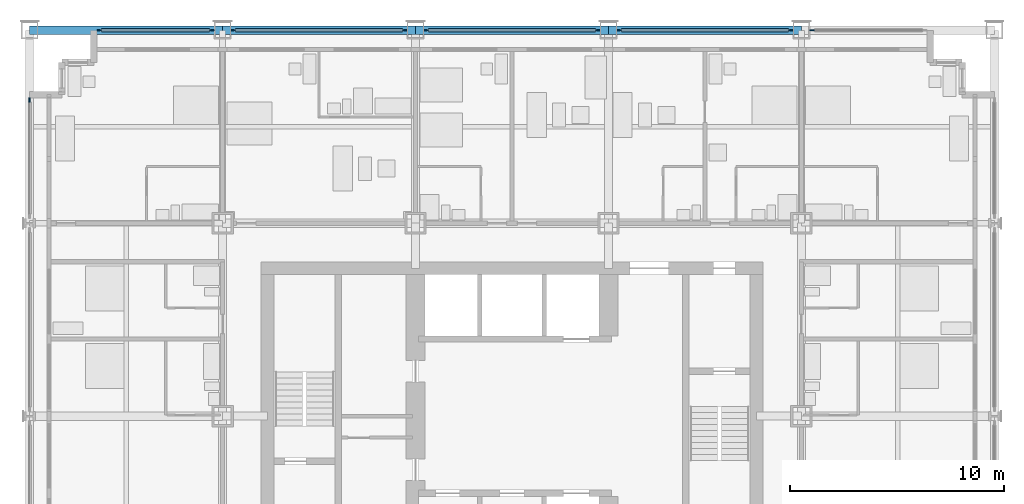
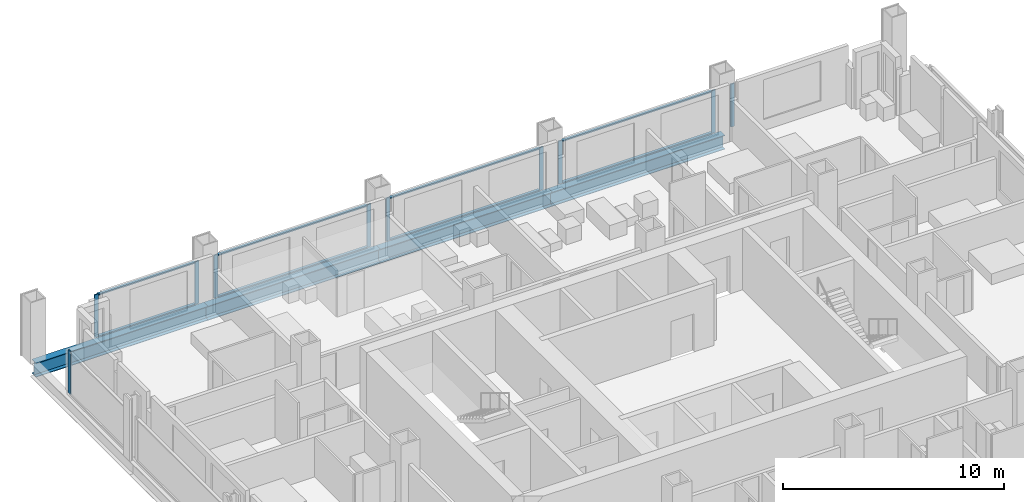
# One storey, part 6 of 17: 18 members, 4 beams, 6 elements without a shape of their own.
"""IFC4 building model written with IfcOpenShell, lengths in metres."""

from ifc_helpers import new_model, si_unit, direction, frame, origin, origin_2d, place, context, subcontext, project, spatial, rectangle, i_section, extrude, material, material_profile, profile_set, type_object, element, aggregate, save


model = new_model("IFC4")

# Units and contexts
model_context = context("Model", 3, precision=1e-05, world=origin(), true_north=direction((0.0, 1.0)))
body_context = subcontext(model_context, "Body", "Model", "MODEL_VIEW")
ifc_project = project(units=[si_unit("LENGTHUNIT", "METRE"), si_unit("AREAUNIT", "SQUARE_METRE"), si_unit("VOLUMEUNIT", "CUBIC_METRE"), si_unit("PLANEANGLEUNIT", "RADIAN"), si_unit("MASSUNIT", "GRAM", prefix="KILO")], contexts=[model_context])

# Site, building, storey
site_placement = place(None, origin())
site = spatial("IfcSite", under=ifc_project, at=site_placement, CompositionType="ELEMENT")
building_placement = place(site_placement, origin())
building = spatial("IfcBuilding", under=site, at=building_placement, Name="Loomwork Tower", CompositionType="ELEMENT")
storey_placement = place(building_placement, frame((0.0, 0.0, 152.0)))
storey = spatial("IfcBuildingStorey", under=building, at=storey_placement, Name="L41", CompositionType="ELEMENT", Elevation=152.0)

# Curtain wall, members
ifc_material_1 = material(Name="Aluminium curtain wall frame", Category="aluminium")
curtain_wall_type = type_object("IfcCurtainWallType", Name="Outer skin glazing hotel", PredefinedType="NOTDEFINED", material=ifc_material_1)
curtain_wall_1_placement = place(storey_placement, origin())
curtain_wall_1 = element("IfcCurtainWall", 1, at=curtain_wall_1_placement, inside=storey, type_object=curtain_wall_type, Name="Outer skin glazing hotel cw/N-0", PredefinedType="NOTDEFINED")
ifc_material_2 = material(Name="Aluminium curtain wall frame", Category="aluminium")
ifc_material_profile_1 = material_profile(ifc_material_2, rectangle(XDim=0.06494140625, YDim=0.199951171875, at=origin_2d()), Name="AL 65x200")
ifc_profile_set_1 = profile_set([ifc_material_profile_1], Name="Aluminium curtain wall frame")
member_type_1 = type_object("IfcMemberType", Name="Outer skin glazing hotel mullion", PredefinedType="MULLION", material=ifc_profile_set_1)
member_1_placement = place(storey_placement, frame((8.5, 36.0, 0.0), z_axis=(0.0, 0.0, 1.0), x_axis=(0.0, -1.0, 0.0)))
member_1 = element("IfcMember", 2, at=member_1_placement, type_object=member_type_1, Name="CW1 mullion 1", PredefinedType="MULLION", context=body_context, shape_type="SweptSolid", body=[
    extrude(rectangle(XDim=0.06494140625, YDim=0.199951171875, at=origin_2d()), origin(), (0.0, 0.0, 1.0), 2.3701171875),
])
member_2_placement = place(storey_placement, frame((3.25, 36.0, 0.0), z_axis=(0.0, 0.0, 1.0), x_axis=(0.0, -1.0, 0.0)))
member_2 = element("IfcMember", 3, at=member_2_placement, type_object=member_type_1, Name="CW1 mullion 2", PredefinedType="MULLION", context=body_context, shape_type="SweptSolid", body=[
    extrude(rectangle(XDim=0.06494140625, YDim=0.199951171875, at=origin_2d()), origin(), (0.0, 0.0, 1.0), 2.3701171875),
])

curtain_wall_2_placement = place(storey_placement, origin())
curtain_wall_2 = element("IfcCurtainWall", 4, at=curtain_wall_2_placement, inside=storey, type_object=curtain_wall_type, Name="Outer skin glazing hotel cw/N-9", PredefinedType="NOTDEFINED")
member_3_placement = place(storey_placement, frame((17.5, 36.0, 0.0), z_axis=(0.0, 0.0, 1.0), x_axis=(0.0, -1.0, 0.0)))
member_3 = element("IfcMember", 5, at=member_3_placement, type_object=member_type_1, Name="CW1 mullion 1", PredefinedType="MULLION", context=body_context, shape_type="SweptSolid", body=[
    extrude(rectangle(XDim=0.06494140625, YDim=0.199951171875, at=origin_2d()), origin(), (0.0, 0.0, 1.0), 2.3701171875),
])
member_4_placement = place(storey_placement, frame((9.5, 36.0, 0.0), z_axis=(0.0, 0.0, 1.0), x_axis=(0.0, -1.0, 0.0)))
member_4 = element("IfcMember", 6, at=member_4_placement, type_object=member_type_1, Name="CW1 mullion 2", PredefinedType="MULLION", context=body_context, shape_type="SweptSolid", body=[
    extrude(rectangle(XDim=0.06494140625, YDim=0.199951171875, at=origin_2d()), origin(), (0.0, 0.0, 1.0), 2.3701171875),
])

curtain_wall_3_placement = place(storey_placement, origin())
curtain_wall_3 = element("IfcCurtainWall", 7, at=curtain_wall_3_placement, inside=storey, type_object=curtain_wall_type, Name="Outer skin glazing hotel cw/N-18", PredefinedType="NOTDEFINED")
member_5_placement = place(storey_placement, frame((26.5, 36.0, 0.0), z_axis=(0.0, 0.0, 1.0), x_axis=(0.0, -1.0, 0.0)))
member_5 = element("IfcMember", 8, at=member_5_placement, type_object=member_type_1, Name="CW1 mullion 1", PredefinedType="MULLION", context=body_context, shape_type="SweptSolid", body=[
    extrude(rectangle(XDim=0.06494140625, YDim=0.199951171875, at=origin_2d()), origin(), (0.0, 0.0, 1.0), 2.3701171875),
])
member_6_placement = place(storey_placement, frame((18.5, 36.0, 0.0), z_axis=(0.0, 0.0, 1.0), x_axis=(0.0, -1.0, 0.0)))
member_6 = element("IfcMember", 9, at=member_6_placement, type_object=member_type_1, Name="CW1 mullion 2", PredefinedType="MULLION", context=body_context, shape_type="SweptSolid", body=[
    extrude(rectangle(XDim=0.06494140625, YDim=0.199951171875, at=origin_2d()), origin(), (0.0, 0.0, 1.0), 2.3701171875),
])

curtain_wall_4_placement = place(storey_placement, origin())
curtain_wall_4 = element("IfcCurtainWall", 10, at=curtain_wall_4_placement, inside=storey, type_object=curtain_wall_type, Name="Outer skin glazing hotel cw/N-27", PredefinedType="NOTDEFINED")
member_7_placement = place(storey_placement, frame((35.5, 36.0, 0.0), z_axis=(0.0, 0.0, 1.0), x_axis=(0.0, -1.0, 0.0)))
member_7 = element("IfcMember", 11, at=member_7_placement, type_object=member_type_1, Name="CW1 mullion 1", PredefinedType="MULLION", context=body_context, shape_type="SweptSolid", body=[
    extrude(rectangle(XDim=0.06494140625, YDim=0.199951171875, at=origin_2d()), origin(), (0.0, 0.0, 1.0), 2.3701171875),
])
member_8_placement = place(storey_placement, frame((27.5, 36.0, 0.0), z_axis=(0.0, 0.0, 1.0), x_axis=(0.0, -1.0, 0.0)))
member_8 = element("IfcMember", 12, at=member_8_placement, type_object=member_type_1, Name="CW1 mullion 2", PredefinedType="MULLION", context=body_context, shape_type="SweptSolid", body=[
    extrude(rectangle(XDim=0.06494140625, YDim=0.199951171875, at=origin_2d()), origin(), (0.0, 0.0, 1.0), 2.3701171875),
])

# Curtain wall, member
curtain_wall_5_placement = place(storey_placement, origin())
curtain_wall_5 = element("IfcCurtainWall", 13, at=curtain_wall_5_placement, inside=storey, type_object=curtain_wall_type, Name="Outer skin glazing hotel cw/N-36", PredefinedType="NOTDEFINED")
member_9_placement = place(storey_placement, frame((36.5, 36.0, 0.0), z_axis=(0.0, 0.0, 1.0), x_axis=(0.0, -1.0, 0.0)))
member_9 = element("IfcMember", 14, at=member_9_placement, type_object=member_type_1, Name="CW1 mullion 2", PredefinedType="MULLION", context=body_context, shape_type="SweptSolid", body=[
    extrude(rectangle(XDim=0.06494140625, YDim=0.199951171875, at=origin_2d()), origin(), (0.0, 0.0, 1.0), 2.3701171875),
])
aggregate(curtain_wall_5, [member_9])

curtain_wall_6_placement = place(storey_placement, origin())
curtain_wall_6 = element("IfcCurtainWall", 15, at=curtain_wall_6_placement, inside=storey, type_object=curtain_wall_type, Name="Outer skin glazing hotel cw/W-27", PredefinedType="NOTDEFINED")
member_10_placement = place(storey_placement, frame((0.0, 32.75, 0.0), z_axis=(0.0, 0.0, 1.0), x_axis=(1.0, 0.0, 0.0)))
member_10 = element("IfcMember", 16, at=member_10_placement, type_object=member_type_1, Name="CW1 mullion 1", PredefinedType="MULLION", context=body_context, shape_type="SweptSolid", body=[
    extrude(rectangle(XDim=0.06494140625, YDim=0.199951171875, at=origin_2d()), origin(), (0.0, 0.0, 1.0), 2.3701171875),
])
aggregate(curtain_wall_6, [member_10])

# Member
ifc_material_3 = material(Name="Aluminium curtain wall frame", Category="aluminium")
ifc_material_profile_2 = material_profile(ifc_material_3, rectangle(XDim=0.14990234375, YDim=0.06494140625, at=origin_2d()), Name="AL 65x150")
ifc_profile_set_2 = profile_set([ifc_material_profile_2], Name="Aluminium curtain wall frame")
member_type_2 = type_object("IfcMemberType", Name="Outer skin glazing hotel transom", PredefinedType="USERDEFINED", material=ifc_profile_set_2)
member_11_placement = place(storey_placement, frame((8.39990234375, 36.0, 0.032470703125), z_axis=(-1.0, 0.0, 0.0), x_axis=(0.0, -1.0, 0.0)))
member_11 = element("IfcMember", 17, at=member_11_placement, type_object=member_type_2, Name="CW1 transom 1.1", ObjectType="TRANSOM", PredefinedType="USERDEFINED", context=body_context, shape_type="SweptSolid", body=[
    extrude(rectangle(XDim=0.14990234375, YDim=0.06494140625, at=origin_2d()), origin(), (0.0, 0.0, 1.0), 5.0498046875),
])

member_12_placement = place(storey_placement, frame((8.39990234375, 36.0, 2.337646484375), z_axis=(-1.0, 0.0, 0.0), x_axis=(0.0, -1.0, 0.0)))
member_12 = element("IfcMember", 18, at=member_12_placement, type_object=member_type_2, Name="CW1 transom 1.2", ObjectType="TRANSOM", PredefinedType="USERDEFINED", context=body_context, shape_type="SweptSolid", body=[
    extrude(rectangle(XDim=0.14990234375, YDim=0.06494140625, at=origin_2d()), origin(), (0.0, 0.0, 1.0), 5.0498046875),
])

aggregate(curtain_wall_1, [member_1, member_2, member_11, member_12])

member_13_placement = place(storey_placement, frame((17.39990234375, 36.0, 0.032470703125), z_axis=(-1.0, 0.0, 0.0), x_axis=(0.0, -1.0, 0.0)))
member_13 = element("IfcMember", 19, at=member_13_placement, type_object=member_type_2, Name="CW1 transom 1.1", ObjectType="TRANSOM", PredefinedType="USERDEFINED", context=body_context, shape_type="SweptSolid", body=[
    extrude(rectangle(XDim=0.14990234375, YDim=0.06494140625, at=origin_2d()), origin(), (0.0, 0.0, 1.0), 7.7998046875),
])

member_14_placement = place(storey_placement, frame((17.39990234375, 36.0, 2.337646484375), z_axis=(-1.0, 0.0, 0.0), x_axis=(0.0, -1.0, 0.0)))
member_14 = element("IfcMember", 20, at=member_14_placement, type_object=member_type_2, Name="CW1 transom 1.2", ObjectType="TRANSOM", PredefinedType="USERDEFINED", context=body_context, shape_type="SweptSolid", body=[
    extrude(rectangle(XDim=0.14990234375, YDim=0.06494140625, at=origin_2d()), origin(), (0.0, 0.0, 1.0), 7.7998046875),
])

aggregate(curtain_wall_2, [member_3, member_4, member_13, member_14])

member_15_placement = place(storey_placement, frame((26.39990234375, 36.0, 0.032470703125), z_axis=(-1.0, 0.0, 0.0), x_axis=(0.0, -1.0, 0.0)))
member_15 = element("IfcMember", 21, at=member_15_placement, type_object=member_type_2, Name="CW1 transom 1.1", ObjectType="TRANSOM", PredefinedType="USERDEFINED", context=body_context, shape_type="SweptSolid", body=[
    extrude(rectangle(XDim=0.14990234375, YDim=0.06494140625, at=origin_2d()), origin(), (0.0, 0.0, 1.0), 7.7998046875),
])

member_16_placement = place(storey_placement, frame((26.39990234375, 36.0, 2.337646484375), z_axis=(-1.0, 0.0, 0.0), x_axis=(0.0, -1.0, 0.0)))
member_16 = element("IfcMember", 22, at=member_16_placement, type_object=member_type_2, Name="CW1 transom 1.2", ObjectType="TRANSOM", PredefinedType="USERDEFINED", context=body_context, shape_type="SweptSolid", body=[
    extrude(rectangle(XDim=0.14990234375, YDim=0.06494140625, at=origin_2d()), origin(), (0.0, 0.0, 1.0), 7.7998046875),
])

aggregate(curtain_wall_3, [member_5, member_6, member_15, member_16])

member_17_placement = place(storey_placement, frame((35.39990234375, 36.0, 0.032470703125), z_axis=(-1.0, 0.0, 0.0), x_axis=(0.0, -1.0, 0.0)))
member_17 = element("IfcMember", 23, at=member_17_placement, type_object=member_type_2, Name="CW1 transom 1.1", ObjectType="TRANSOM", PredefinedType="USERDEFINED", context=body_context, shape_type="SweptSolid", body=[
    extrude(rectangle(XDim=0.14990234375, YDim=0.06494140625, at=origin_2d()), origin(), (0.0, 0.0, 1.0), 7.7998046875),
])

member_18_placement = place(storey_placement, frame((35.39990234375, 36.0, 2.337646484375), z_axis=(-1.0, 0.0, 0.0), x_axis=(0.0, -1.0, 0.0)))
member_18 = element("IfcMember", 24, at=member_18_placement, type_object=member_type_2, Name="CW1 transom 1.2", ObjectType="TRANSOM", PredefinedType="USERDEFINED", context=body_context, shape_type="SweptSolid", body=[
    extrude(rectangle(XDim=0.14990234375, YDim=0.06494140625, at=origin_2d()), origin(), (0.0, 0.0, 1.0), 7.7998046875),
])

aggregate(curtain_wall_4, [member_7, member_8, member_17, member_18])

# Beams
ifc_material_4 = material(Name="Steel ASTM A992", Category="steel")
ifc_material_profile_3 = material_profile(ifc_material_4, i_section(OverallWidth=0.381103515625, OverallDepth=0.77978515625, WebThickness=0.01806640625, FlangeThickness=0.0302734375, at=origin_2d()), Name="W30x191")
ifc_profile_set_3 = profile_set([ifc_material_profile_3], Name="Steel ASTM A992")
beam_type = type_object("IfcBeamType", Name="SPANDREL GIRDER W30x191", PredefinedType="SPANDREL", material=ifc_profile_set_3)
for number, where, z_axis, x_axis, name in (
    (25, (0.0, 36.0, -0.58984375), (1.0, 0.0, 0.0), (0.0, 1.0, 0.0), "Spandrel Girder H/2-H/3 L41"),
    (26, (9.0, 36.0, -0.58984375), (1.0, 0.0, 0.0), (0.0, 1.0, 0.0), "Spandrel Girder H/3-H/4 L41"),
    (27, (18.0, 36.0, -0.58984375), (1.0, 0.0, 0.0), (0.0, 1.0, 0.0), "Spandrel Girder H/4-H/5 L41"),
    (28, (27.0, 36.0, -0.58984375), (1.0, 0.0, 0.0), (0.0, 1.0, 0.0), "Spandrel Girder H/5-H/6 L41"),
):
    element("IfcBeam", number, at=place(storey_placement, frame(where, z_axis=z_axis, x_axis=x_axis)), inside=storey, type_object=beam_type, Name=name, PredefinedType="SPANDREL", context=body_context, shape_type="SweptSolid", body=[
        extrude(i_section(OverallWidth=0.381103515625, OverallDepth=0.77978515625, WebThickness=0.01806640625, FlangeThickness=0.0302734375, at=origin_2d()), origin(), (0.0, 0.0, 1.0), 9.0),
    ])

save(model, "model.ifc")
